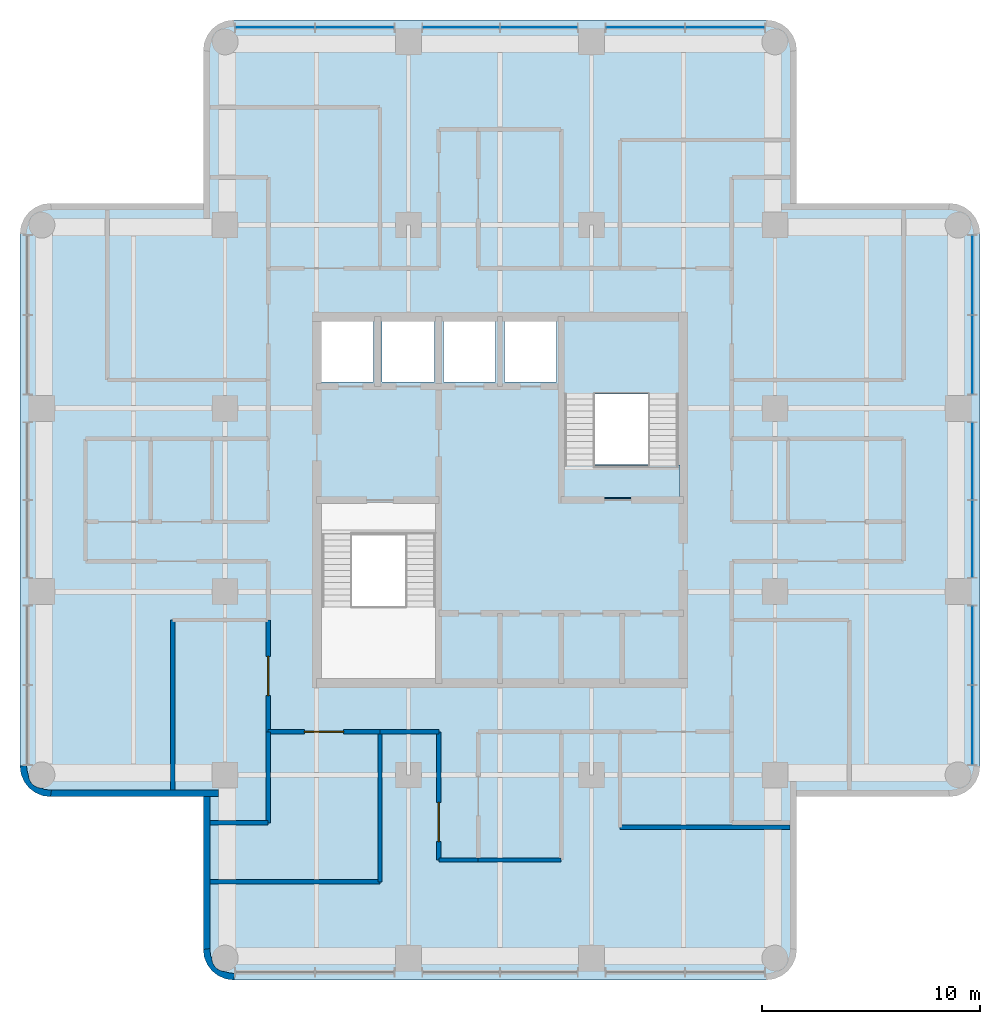
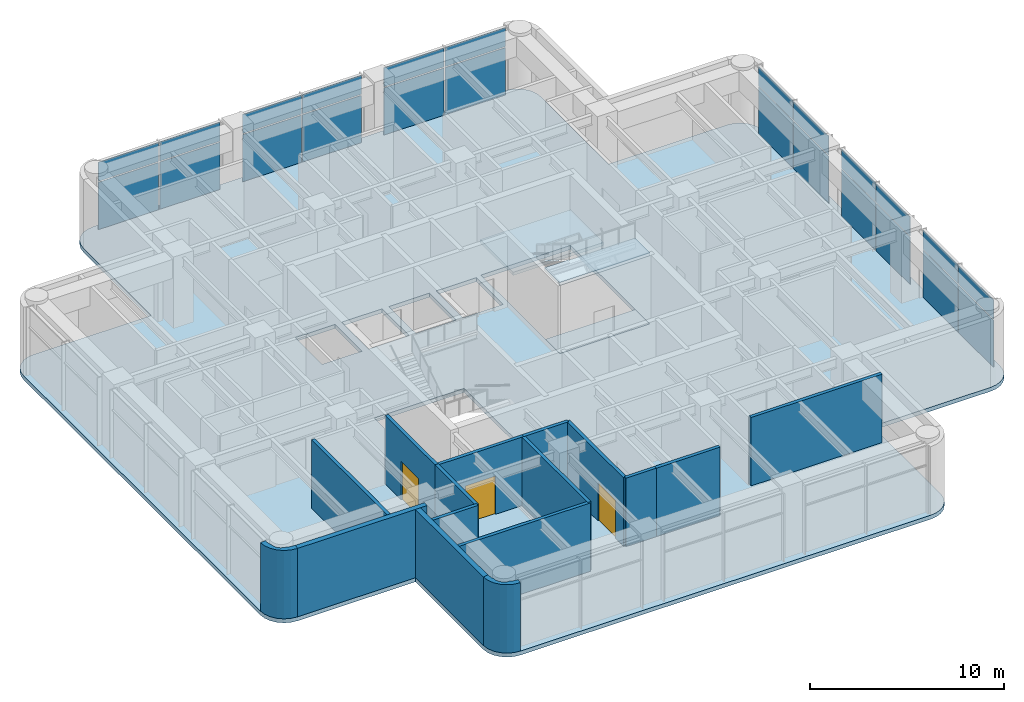
# One storey, part 4 of 8: 24 plates, 16 walls, 4 slabs, 3 doors, 3 openings, 3 elements without a shape of their own.
"""IFC4 building model written with IfcOpenShell, lengths in metres."""

from ifc_helpers import new_model, si_unit, direction, frame, frame_2d, origin, origin_2d, place, context, subcontext, project, spatial, polyline, rectangle, outline, extrude, material, layer, layer_set, type_object, element, fill, aggregate, save


model = new_model("IFC4")

# Units and contexts
model_context = context("Model", 3, precision=1e-05, world=origin(), true_north=direction((0.0, 1.0)))
body_context = subcontext(model_context, "Body", "Model", "MODEL_VIEW")
ifc_project = project(units=[si_unit("LENGTHUNIT", "METRE"), si_unit("AREAUNIT", "SQUARE_METRE"), si_unit("VOLUMEUNIT", "CUBIC_METRE"), si_unit("PLANEANGLEUNIT", "RADIAN"), si_unit("MASSUNIT", "GRAM", prefix="KILO")], contexts=[model_context])

# Site, building, storey
site_placement = place(None, origin())
site = spatial("IfcSite", under=ifc_project, at=site_placement, CompositionType="ELEMENT")
building_placement = place(site_placement, origin())
building = spatial("IfcBuilding", under=site, at=building_placement, Name="Torre Alcanfor", CompositionType="ELEMENT")
storey_placement = place(building_placement, frame((0.0, 0.0, 305.39990234375)))
storey = spatial("IfcBuildingStorey", under=building, at=storey_placement, Name="L80", CompositionType="ELEMENT", Elevation=305.39990234375)

# Curtain wall, plates
ifc_material_1 = material(Name="Aluminium and glass", Category="aluminium")
curtain_wall_type = type_object("IfcCurtainWallType", Name="CW-E crown screen", PredefinedType="NOTDEFINED", material=ifc_material_1)
curtain_wall_1_placement = place(storey_placement, origin())
curtain_wall_1 = element("IfcCurtainWall", 1, at=curtain_wall_1_placement, inside=storey, type_object=curtain_wall_type, Name="Curtain wall CW-E L80 8", PredefinedType="NOTDEFINED")
ifc_material_2 = material(Name="Limestone-colour fritted glass", Category="masonry")
ifc_layer_1 = layer(ifc_material_2, 0.028076171875)
ifc_layer_set_1 = layer_set([ifc_layer_1], Name="CW-E fritted glass panel")
plate_type = type_object("IfcPlateType", Name="CW-E fritted glass panel", PredefinedType="CURTAIN_PANEL", material=ifc_layer_set_1)
plate_1_placement = place(storey_placement, frame((51.050048828125, 19.087890625, 0.0), z_axis=(0.0, 0.0, 1.0), x_axis=(0.0, 1.0, 0.0)))
plate_1 = element("IfcPlate", 2, at=plate_1_placement, type_object=plate_type, Name="CW-E panel 1.1.1", PredefinedType="CURTAIN_PANEL", context=body_context, shape_type="SweptSolid", body=[
    extrude(rectangle(XDim=3.584716796875, YDim=0.028076171875, at=origin_2d()), origin(), (0.0, 0.0, 1.0), 2.967529296875),
])
plate_2_placement = place(storey_placement, frame((51.050048828125, 19.087890625, 3.03271484375), z_axis=(0.0, 0.0, 1.0), x_axis=(0.0, 1.0, 0.0)))
plate_2 = element("IfcPlate", 3, at=plate_2_placement, type_object=plate_type, Name="CW-E panel 1.1.2", PredefinedType="CURTAIN_PANEL", context=body_context, shape_type="SweptSolid", body=[
    extrude(rectangle(XDim=3.584716796875, YDim=0.028076171875, at=origin_2d()), origin(), (0.0, 0.0, 1.0), 1.202392578125),
])
plate_3_placement = place(storey_placement, frame((51.050048828125, 22.737548828125, 0.0), z_axis=(0.0, 0.0, 1.0), x_axis=(0.0, 1.0, 0.0)))
plate_3 = element("IfcPlate", 4, at=plate_3_placement, type_object=plate_type, Name="CW-E panel 1.2.1", PredefinedType="CURTAIN_PANEL", context=body_context, shape_type="SweptSolid", body=[
    extrude(rectangle(XDim=3.584716796875, YDim=0.028076171875, at=origin_2d()), origin(), (0.0, 0.0, 1.0), 2.967529296875),
])
plate_4_placement = place(storey_placement, frame((51.050048828125, 22.737548828125, 3.03271484375), z_axis=(0.0, 0.0, 1.0), x_axis=(0.0, 1.0, 0.0)))
plate_4 = element("IfcPlate", 5, at=plate_4_placement, type_object=plate_type, Name="CW-E panel 1.2.2", PredefinedType="CURTAIN_PANEL", context=body_context, shape_type="SweptSolid", body=[
    extrude(rectangle(XDim=3.584716796875, YDim=0.028076171875, at=origin_2d()), origin(), (0.0, 0.0, 1.0), 1.202392578125),
])
plate_5_placement = place(storey_placement, frame((51.050048828125, 27.61865234375, 0.0), z_axis=(0.0, 0.0, 1.0), x_axis=(0.0, 1.0, 0.0)))
plate_5 = element("IfcPlate", 6, at=plate_5_placement, type_object=plate_type, Name="CW-E panel 2.1.1", PredefinedType="CURTAIN_PANEL", context=body_context, shape_type="SweptSolid", body=[
    extrude(rectangle(XDim=3.49755859375, YDim=0.028076171875, at=origin_2d()), origin(), (0.0, 0.0, 1.0), 2.967529296875),
])
plate_6_placement = place(storey_placement, frame((51.050048828125, 27.61865234375, 3.03271484375), z_axis=(0.0, 0.0, 1.0), x_axis=(0.0, 1.0, 0.0)))
plate_6 = element("IfcPlate", 7, at=plate_6_placement, type_object=plate_type, Name="CW-E panel 2.1.2", PredefinedType="CURTAIN_PANEL", context=body_context, shape_type="SweptSolid", body=[
    extrude(rectangle(XDim=3.49755859375, YDim=0.028076171875, at=origin_2d()), origin(), (0.0, 0.0, 1.0), 1.202392578125),
])
plate_7_placement = place(storey_placement, frame((51.050048828125, 31.18115234375, 0.0), z_axis=(0.0, 0.0, 1.0), x_axis=(0.0, 1.0, 0.0)))
plate_7 = element("IfcPlate", 8, at=plate_7_placement, type_object=plate_type, Name="CW-E panel 2.2.1", PredefinedType="CURTAIN_PANEL", context=body_context, shape_type="SweptSolid", body=[
    extrude(rectangle(XDim=3.49755859375, YDim=0.028076171875, at=origin_2d()), origin(), (0.0, 0.0, 1.0), 2.967529296875),
])
plate_8_placement = place(storey_placement, frame((51.050048828125, 31.18115234375, 3.03271484375), z_axis=(0.0, 0.0, 1.0), x_axis=(0.0, 1.0, 0.0)))
plate_8 = element("IfcPlate", 9, at=plate_8_placement, type_object=plate_type, Name="CW-E panel 2.2.2", PredefinedType="CURTAIN_PANEL", context=body_context, shape_type="SweptSolid", body=[
    extrude(rectangle(XDim=3.49755859375, YDim=0.028076171875, at=origin_2d()), origin(), (0.0, 0.0, 1.0), 1.202392578125),
])
plate_9_placement = place(storey_placement, frame((51.050048828125, 36.062255859375, 0.0), z_axis=(0.0, 0.0, 1.0), x_axis=(0.0, 1.0, 0.0)))
plate_9 = element("IfcPlate", 10, at=plate_9_placement, type_object=plate_type, Name="CW-E panel 3.1.1", PredefinedType="CURTAIN_PANEL", context=body_context, shape_type="SweptSolid", body=[
    extrude(rectangle(XDim=3.584716796875, YDim=0.028076171875, at=origin_2d()), origin(), (0.0, 0.0, 1.0), 2.967529296875),
])
plate_10_placement = place(storey_placement, frame((51.050048828125, 36.062255859375, 3.03271484375), z_axis=(0.0, 0.0, 1.0), x_axis=(0.0, 1.0, 0.0)))
plate_10 = element("IfcPlate", 11, at=plate_10_placement, type_object=plate_type, Name="CW-E panel 3.1.2", PredefinedType="CURTAIN_PANEL", context=body_context, shape_type="SweptSolid", body=[
    extrude(rectangle(XDim=3.584716796875, YDim=0.028076171875, at=origin_2d()), origin(), (0.0, 0.0, 1.0), 1.202392578125),
])
plate_11_placement = place(storey_placement, frame((51.050048828125, 39.712158203125, 0.0), z_axis=(0.0, 0.0, 1.0), x_axis=(0.0, 1.0, 0.0)))
plate_11 = element("IfcPlate", 12, at=plate_11_placement, type_object=plate_type, Name="CW-E panel 3.2.1", PredefinedType="CURTAIN_PANEL", context=body_context, shape_type="SweptSolid", body=[
    extrude(rectangle(XDim=3.584716796875, YDim=0.028076171875, at=origin_2d()), origin(), (0.0, 0.0, 1.0), 2.967529296875),
])
plate_12_placement = place(storey_placement, frame((51.050048828125, 39.712158203125, 3.03271484375), z_axis=(0.0, 0.0, 1.0), x_axis=(0.0, 1.0, 0.0)))
plate_12 = element("IfcPlate", 13, at=plate_12_placement, type_object=plate_type, Name="CW-E panel 3.2.2", PredefinedType="CURTAIN_PANEL", context=body_context, shape_type="SweptSolid", body=[
    extrude(rectangle(XDim=3.584716796875, YDim=0.028076171875, at=origin_2d()), origin(), (0.0, 0.0, 1.0), 1.202392578125),
])
aggregate(curtain_wall_1, [plate_1, plate_2, plate_3, plate_4, plate_5, plate_6, plate_7, plate_8, plate_9, plate_10, plate_11, plate_12])

curtain_wall_2_placement = place(storey_placement, origin())
curtain_wall_2 = element("IfcCurtainWall", 14, at=curtain_wall_2_placement, inside=storey, type_object=curtain_wall_type, Name="Curtain wall CW-E L80 11", PredefinedType="NOTDEFINED")
plate_13_placement = place(storey_placement, frame((39.712158203125, 51.050048828125, 0.0), z_axis=(0.0, 0.0, 1.0), x_axis=(-1.0, 0.0, 0.0)))
plate_13 = element("IfcPlate", 15, at=plate_13_placement, type_object=plate_type, Name="CW-E panel 1.1.1", PredefinedType="CURTAIN_PANEL", context=body_context, shape_type="SweptSolid", body=[
    extrude(rectangle(XDim=3.584716796875, YDim=0.028076171875, at=origin_2d()), origin(), (0.0, 0.0, 1.0), 2.967529296875),
])
plate_14_placement = place(storey_placement, frame((39.712158203125, 51.050048828125, 3.03271484375), z_axis=(0.0, 0.0, 1.0), x_axis=(-1.0, 0.0, 0.0)))
plate_14 = element("IfcPlate", 16, at=plate_14_placement, type_object=plate_type, Name="CW-E panel 1.1.2", PredefinedType="CURTAIN_PANEL", context=body_context, shape_type="SweptSolid", body=[
    extrude(rectangle(XDim=3.584716796875, YDim=0.028076171875, at=origin_2d()), origin(), (0.0, 0.0, 1.0), 1.202392578125),
])
plate_15_placement = place(storey_placement, frame((36.062255859375, 51.050048828125, 0.0), z_axis=(0.0, 0.0, 1.0), x_axis=(-1.0, 0.0, 0.0)))
plate_15 = element("IfcPlate", 17, at=plate_15_placement, type_object=plate_type, Name="CW-E panel 1.2.1", PredefinedType="CURTAIN_PANEL", context=body_context, shape_type="SweptSolid", body=[
    extrude(rectangle(XDim=3.584716796875, YDim=0.028076171875, at=origin_2d()), origin(), (0.0, 0.0, 1.0), 2.967529296875),
])
plate_16_placement = place(storey_placement, frame((36.062255859375, 51.050048828125, 3.03271484375), z_axis=(0.0, 0.0, 1.0), x_axis=(-1.0, 0.0, 0.0)))
plate_16 = element("IfcPlate", 18, at=plate_16_placement, type_object=plate_type, Name="CW-E panel 1.2.2", PredefinedType="CURTAIN_PANEL", context=body_context, shape_type="SweptSolid", body=[
    extrude(rectangle(XDim=3.584716796875, YDim=0.028076171875, at=origin_2d()), origin(), (0.0, 0.0, 1.0), 1.202392578125),
])
plate_17_placement = place(storey_placement, frame((31.18115234375, 51.050048828125, 0.0), z_axis=(0.0, 0.0, 1.0), x_axis=(-1.0, 0.0, 0.0)))
plate_17 = element("IfcPlate", 19, at=plate_17_placement, type_object=plate_type, Name="CW-E panel 2.1.1", PredefinedType="CURTAIN_PANEL", context=body_context, shape_type="SweptSolid", body=[
    extrude(rectangle(XDim=3.49755859375, YDim=0.028076171875, at=origin_2d()), origin(), (0.0, 0.0, 1.0), 2.967529296875),
])
plate_18_placement = place(storey_placement, frame((31.18115234375, 51.050048828125, 3.03271484375), z_axis=(0.0, 0.0, 1.0), x_axis=(-1.0, 0.0, 0.0)))
plate_18 = element("IfcPlate", 20, at=plate_18_placement, type_object=plate_type, Name="CW-E panel 2.1.2", PredefinedType="CURTAIN_PANEL", context=body_context, shape_type="SweptSolid", body=[
    extrude(rectangle(XDim=3.49755859375, YDim=0.028076171875, at=origin_2d()), origin(), (0.0, 0.0, 1.0), 1.202392578125),
])
plate_19_placement = place(storey_placement, frame((27.61865234375, 51.050048828125, 0.0), z_axis=(0.0, 0.0, 1.0), x_axis=(-1.0, 0.0, 0.0)))
plate_19 = element("IfcPlate", 21, at=plate_19_placement, type_object=plate_type, Name="CW-E panel 2.2.1", PredefinedType="CURTAIN_PANEL", context=body_context, shape_type="SweptSolid", body=[
    extrude(rectangle(XDim=3.49755859375, YDim=0.028076171875, at=origin_2d()), origin(), (0.0, 0.0, 1.0), 2.967529296875),
])
plate_20_placement = place(storey_placement, frame((27.61865234375, 51.050048828125, 3.03271484375), z_axis=(0.0, 0.0, 1.0), x_axis=(-1.0, 0.0, 0.0)))
plate_20 = element("IfcPlate", 22, at=plate_20_placement, type_object=plate_type, Name="CW-E panel 2.2.2", PredefinedType="CURTAIN_PANEL", context=body_context, shape_type="SweptSolid", body=[
    extrude(rectangle(XDim=3.49755859375, YDim=0.028076171875, at=origin_2d()), origin(), (0.0, 0.0, 1.0), 1.202392578125),
])
plate_21_placement = place(storey_placement, frame((22.737548828125, 51.050048828125, 0.0), z_axis=(0.0, 0.0, 1.0), x_axis=(-1.0, 0.0, 0.0)))
plate_21 = element("IfcPlate", 23, at=plate_21_placement, type_object=plate_type, Name="CW-E panel 3.1.1", PredefinedType="CURTAIN_PANEL", context=body_context, shape_type="SweptSolid", body=[
    extrude(rectangle(XDim=3.584716796875, YDim=0.028076171875, at=origin_2d()), origin(), (0.0, 0.0, 1.0), 2.967529296875),
])
plate_22_placement = place(storey_placement, frame((22.737548828125, 51.050048828125, 3.03271484375), z_axis=(0.0, 0.0, 1.0), x_axis=(-1.0, 0.0, 0.0)))
plate_22 = element("IfcPlate", 24, at=plate_22_placement, type_object=plate_type, Name="CW-E panel 3.1.2", PredefinedType="CURTAIN_PANEL", context=body_context, shape_type="SweptSolid", body=[
    extrude(rectangle(XDim=3.584716796875, YDim=0.028076171875, at=origin_2d()), origin(), (0.0, 0.0, 1.0), 1.202392578125),
])
plate_23_placement = place(storey_placement, frame((19.087890625, 51.050048828125, 0.0), z_axis=(0.0, 0.0, 1.0), x_axis=(-1.0, 0.0, 0.0)))
plate_23 = element("IfcPlate", 25, at=plate_23_placement, type_object=plate_type, Name="CW-E panel 3.2.1", PredefinedType="CURTAIN_PANEL", context=body_context, shape_type="SweptSolid", body=[
    extrude(rectangle(XDim=3.584716796875, YDim=0.028076171875, at=origin_2d()), origin(), (0.0, 0.0, 1.0), 2.967529296875),
])
plate_24_placement = place(storey_placement, frame((19.087890625, 51.050048828125, 3.03271484375), z_axis=(0.0, 0.0, 1.0), x_axis=(-1.0, 0.0, 0.0)))
plate_24 = element("IfcPlate", 26, at=plate_24_placement, type_object=plate_type, Name="CW-E panel 3.2.2", PredefinedType="CURTAIN_PANEL", context=body_context, shape_type="SweptSolid", body=[
    extrude(rectangle(XDim=3.584716796875, YDim=0.028076171875, at=origin_2d()), origin(), (0.0, 0.0, 1.0), 1.202392578125),
])
aggregate(curtain_wall_2, [plate_13, plate_14, plate_15, plate_16, plate_17, plate_18, plate_19, plate_20, plate_21, plate_22, plate_23, plate_24])

# Slab
ifc_material_3 = material(Name="Concrete f'c 35 MPa", Category="concrete")
ifc_layer_2 = layer(ifc_material_3, 0.25)
ifc_layer_set_2 = layer_set([ifc_layer_2], Name="Floor slab 250")
slab_type_1 = type_object("IfcSlabType", Name="Floor slab 250", PredefinedType="FLOOR", material=ifc_layer_set_2)
slab_1_placement = place(storey_placement, frame((0.0, 0.0, -0.25)))
element("IfcSlab", 27, at=slab_1_placement, inside=storey, type_object=slab_type_1, Name="Floor slab L80", PredefinedType="FLOOR", context=body_context, shape_type="SweptSolid", body=[
    extrude(outline(polyline([(15.800048828125, 43.0), (8.800048828125, 43.0), (8.437744140625, 42.952392578125), (8.10009765625, 42.8125), (7.81005859375, 42.58984375), (7.587646484375, 42.300048828125), (7.44775390625, 41.96240234375), (7.39990234375, 41.60009765625), (7.39990234375, 17.199951171875), (7.44775390625, 16.837646484375), (7.587646484375, 16.5), (7.81005859375, 16.210205078125), (8.10009765625, 15.987548828125), (8.437744140625, 15.84765625), (8.800048828125, 15.800048828125), (15.800048828125, 15.800048828125), (15.800048828125, 8.800048828125), (15.84765625, 8.437744140625), (15.987548828125, 8.10009765625), (16.210205078125, 7.81005859375), (16.5, 7.587646484375), (16.837646484375, 7.44775390625), (17.199951171875, 7.39990234375), (41.60009765625, 7.39990234375), (41.96240234375, 7.44775390625), (42.300048828125, 7.587646484375), (42.58984375, 7.81005859375), (42.8125, 8.10009765625), (42.952392578125, 8.437744140625), (43.0, 8.800048828125), (43.0, 15.800048828125), (50.0, 15.800048828125), (50.3623046875, 15.84765625), (50.699951171875, 15.987548828125), (50.989990234375, 16.210205078125), (51.21240234375, 16.5), (51.352294921875, 16.837646484375), (51.39990234375, 17.199951171875), (51.39990234375, 41.60009765625), (51.352294921875, 41.96240234375), (51.21240234375, 42.300048828125), (50.989990234375, 42.58984375), (50.699951171875, 42.8125), (50.3623046875, 42.952392578125), (50.0, 43.0), (43.0, 43.0), (43.0, 50.0), (42.952392578125, 50.3623046875), (42.8125, 50.699951171875), (42.58984375, 50.989990234375), (42.300048828125, 51.21240234375), (41.96240234375, 51.352294921875), (41.60009765625, 51.39990234375), (17.199951171875, 51.39990234375), (16.837646484375, 51.352294921875), (16.5, 51.21240234375), (16.210205078125, 50.989990234375), (15.987548828125, 50.699951171875), (15.84765625, 50.3623046875), (15.800048828125, 50.0), (15.800048828125, 43.0)]), holes=[polyline([(21.14501953125, 21.14501953125), (26.47998046875, 21.14501953125), (26.47998046875, 29.280029296875), (21.14501953125, 29.280029296875), (21.14501953125, 21.14501953125)]), polyline([(32.320068359375, 29.52001953125), (37.655029296875, 29.52001953125), (37.655029296875, 37.655029296875), (32.320068359375, 37.655029296875), (32.320068359375, 29.52001953125)]), polyline([(21.22509765625, 34.800048828125), (23.60009765625, 34.800048828125), (23.60009765625, 37.574951171875), (21.22509765625, 37.574951171875), (21.22509765625, 34.800048828125)]), polyline([(24.0, 34.800048828125), (26.39990234375, 34.800048828125), (26.39990234375, 37.574951171875), (24.0, 37.574951171875), (24.0, 34.800048828125)]), polyline([(26.800048828125, 34.800048828125), (29.199951171875, 34.800048828125), (29.199951171875, 37.574951171875), (26.800048828125, 37.574951171875), (26.800048828125, 34.800048828125)]), polyline([(29.60009765625, 34.800048828125), (32.0, 34.800048828125), (32.0, 37.574951171875), (29.60009765625, 37.574951171875), (29.60009765625, 34.800048828125)])]), origin(), (0.0, 0.0, 1.0), 0.25),
])

# Stair, slabs
ifc_material_4 = material(Name="Concrete f'c 35 MPa", Category="concrete")
stair_type = type_object("IfcStairType", Name="Exit stair S2 1400 wide", PredefinedType="HALF_TURN_STAIR", material=ifc_material_4)
stair_placement = place(storey_placement, origin())
stair = element("IfcStair", 28, at=stair_placement, inside=storey, type_object=stair_type, Name="Stair S2 L80 to RF", PredefinedType="HALF_TURN_STAIR")
ifc_material_5 = material(Name="Concrete f'c 35 MPa", Category="concrete")
ifc_layer_3 = layer(ifc_material_5, 0.199951171875)
ifc_layer_set_3 = layer_set([ifc_layer_3], Name="Stair landing 200")
slab_type_2 = type_object("IfcSlabType", Name="Stair landing 200", PredefinedType="LANDING", material=ifc_layer_set_3)
slab_2_placement = place(storey_placement, frame((0.0, 0.0, -0.199951171875)))
slab_2 = element("IfcSlab", 29, at=slab_2_placement, type_object=slab_type_2, Name="S2 landing 1", PredefinedType="LANDING", context=body_context, shape_type="SweptSolid", body=[
    extrude(outline(polyline([(32.320068359375, 29.52001953125), (37.655029296875, 29.52001953125), (37.655029296875, 31.0), (32.320068359375, 31.0), (32.320068359375, 29.52001953125)])), origin(), (0.0, 0.0, 1.0), 0.199951171875),
])
slab_3_placement = place(storey_placement, frame((0.0, 0.0, 2.050048828125)))
slab_3 = element("IfcSlab", 30, at=slab_3_placement, type_object=slab_type_2, Name="S2 landing 2", PredefinedType="LANDING", context=body_context, shape_type="SweptSolid", body=[
    extrude(outline(polyline([(32.27001953125, 34.260009765625), (37.655029296875, 34.260009765625), (37.655029296875, 37.655029296875), (32.27001953125, 37.655029296875), (32.27001953125, 34.260009765625)])), origin(), (0.0, 0.0, 1.0), 0.199951171875),
])
slab_4_placement = place(storey_placement, frame((0.0, 0.0, 4.300048828125)))
slab_4 = element("IfcSlab", 31, at=slab_4_placement, type_object=slab_type_2, Name="S2 landing 3", PredefinedType="LANDING", context=body_context, shape_type="SweptSolid", body=[
    extrude(outline(polyline([(32.27001953125, 29.469970703125), (37.655029296875, 29.469970703125), (37.655029296875, 31.030029296875), (32.27001953125, 31.030029296875), (32.27001953125, 29.469970703125)])), origin(), (0.0, 0.0, 1.0), 0.199951171875),
])
aggregate(stair, [slab_2, slab_3, slab_4])

# Walls
ifc_material_6 = material(Name="Limestone cladding", Category="masonry")
ifc_layer_4 = layer(ifc_material_6, 0.0400390625, Name="Facing")
ifc_material_7 = material(Name="Ventilated air cavity")
ifc_layer_5 = layer(ifc_material_7, 0.02001953125, ventilated=True, Name="Ventilated joint")
ifc_material_8 = material(Name="Mineral wool insulation", Category="insulation")
ifc_layer_6 = layer(ifc_material_8, 0.10009765625, Name="Insulation")
ifc_material_9 = material(Name="Concrete f'c 35 MPa", Category="concrete")
ifc_layer_7 = layer(ifc_material_9, 0.139892578125, Name="Backing")
ifc_layer_set_4 = layer_set([ifc_layer_4, ifc_layer_5, ifc_layer_6, ifc_layer_7], Name="External wall stone-clad 300")
wall_type_1 = type_object("IfcWallType", Name="External wall stone-clad 300", PredefinedType="SOLIDWALL", material=ifc_layer_set_4)
wall_1_placement = place(storey_placement, frame((8.800048828125, 15.949951171875, 0.0), z_axis=(0.0, 0.0, 1.0), x_axis=(1.0, 0.0, 0.0)))
element("IfcWall", 32, at=wall_1_placement, inside=storey, type_object=wall_type_1, Name="External wall L80 3", PredefinedType="SOLIDWALL", context=body_context, shape_type="SweptSolid", body=[
    extrude(rectangle(XDim=7.699951171875, YDim=0.300048828125, at=frame_2d((3.85009765625, 0.0))), origin(), (0.0, 0.0, 1.0), 4.300048828125),
])
wall_2_placement = place(storey_placement, frame((15.949951171875, 15.800048828125, 0.0), z_axis=(0.0, 0.0, 1.0), x_axis=(0.0, -1.0, 0.0)))
element("IfcWall", 33, at=wall_2_placement, inside=storey, type_object=wall_type_1, Name="External wall L80 4", PredefinedType="SOLIDWALL", context=body_context, shape_type="SweptSolid", body=[
    extrude(rectangle(XDim=7.0, YDim=0.300048828125, at=frame_2d((3.5, 0.0))), origin(), (0.0, 0.0, 1.0), 4.300048828125),
])

# Wall, opening, door
ifc_material_10 = material(Name="Concrete block masonry, hollow blocks NMX-C-404 9 MPa", Category="masonry")
ifc_layer_8 = layer(ifc_material_10, 0.199951171875)
ifc_layer_set_5 = layer_set([ifc_layer_8], Name="Plant room wall 200 EI 60")
wall_type_2 = type_object("IfcWallType", Name="Plant room wall 200 EI 60", PredefinedType="PARTITIONING", material=ifc_layer_set_5)
wall_3_placement = place(storey_placement, frame((23.89990234375, 18.77490234375, 0.0), z_axis=(0.0, 0.0, 1.0), x_axis=(-1.0, 0.0, 0.0)))
wall_3 = element("IfcWall", 34, at=wall_3_placement, inside=storey, type_object=wall_type_2, Name="Partition L80-CORR / L80-S1", PredefinedType="PARTITIONING", context=body_context, shape_type="SweptSolid", body=[
    extrude(rectangle(XDim=5.125, YDim=0.199951171875, at=frame_2d((2.5625, 0.0))), origin(), (0.0, 0.0, 1.0), 4.300048828125),
])
opening_1_placement = place(wall_3_placement, frame((1.66259765625, 0.0, 0.0)))
opening_1 = element("IfcOpeningElement", 35, at=opening_1_placement, cuts=wall_3, Name="Opening D-P1", PredefinedType="OPENING", context=body_context, shape_type="SweptSolid", body=[
    extrude(rectangle(XDim=1.800048828125, YDim=2.39990234375, at=frame_2d((0.89990234375, 1.199951171875))), frame((0.0, 0.10986328125, 0.0), z_axis=(0.0, -1.0, 0.0), x_axis=(1.0, 0.0, 0.0)), (0.0, 0.0, 1.0), 0.219970703125),
])
ifc_material_11 = material(Name="Galvanised steel sheet ASTM A653", Category="steel")
door_type = type_object("IfcDoorType", Name="Plant room door FD60 1800x2400", OperationType="DOUBLE_DOOR_SINGLE_SWING", PredefinedType="DOOR", material=ifc_material_11)
door_1_placement = place(opening_1_placement, origin())
door_1 = element("IfcDoor", 36, at=door_1_placement, inside=storey, type_object=door_type, Name="Door L80-S1 residential exhaust fan plant room", OperationType="DOUBLE_DOOR_SINGLE_SWING", OverallHeight=2.39990234375, OverallWidth=1.800048828125, PredefinedType="DOOR", context=body_context, shape_type="SweptSolid", body=[
    extrude(rectangle(XDim=1.800048828125, YDim=2.39990234375, at=frame_2d((0.89990234375, 1.199951171875))), frame((0.0, 0.02490234375, 0.0), z_axis=(0.0, -1.0, 0.0), x_axis=(1.0, 0.0, 0.0)), (0.0, 0.0, 1.0), 0.050048828125),
])
fill(opening_1, door_1)

# Wall
wall_4_placement = place(storey_placement, frame((26.60009765625, 18.77490234375, 0.0), z_axis=(0.0, 0.0, 1.0), x_axis=(-1.0, 0.0, 0.0)))
element("IfcWall", 37, at=wall_4_placement, inside=storey, type_object=wall_type_2, Name="Partition L80-CORR / L80-SH", PredefinedType="PARTITIONING", context=body_context, shape_type="SweptSolid", body=[
    extrude(rectangle(XDim=2.7001953125, YDim=0.199951171875, at=frame_2d((1.35009765625, 0.0))), origin(), (0.0, 0.0, 1.0), 4.300048828125),
])

# Wall, opening, door
wall_5_placement = place(storey_placement, frame((18.77490234375, 18.77490234375, 0.0), z_axis=(0.0, 0.0, 1.0), x_axis=(0.0, 1.0, 0.0)))
wall_5 = element("IfcWall", 38, at=wall_5_placement, inside=storey, type_object=wall_type_2, Name="Partition L80-CORR / L80-W1", PredefinedType="PARTITIONING", context=body_context, shape_type="SweptSolid", body=[
    extrude(rectangle(XDim=5.125, YDim=0.199951171875, at=frame_2d((2.5625, 0.0))), origin(), (0.0, 0.0, 1.0), 4.300048828125),
])
opening_2_placement = place(wall_5_placement, frame((1.66259765625, 0.0, 0.0)))
opening_2 = element("IfcOpeningElement", 39, at=opening_2_placement, cuts=wall_5, Name="Opening D-P1", PredefinedType="OPENING", context=body_context, shape_type="SweptSolid", body=[
    extrude(rectangle(XDim=1.800048828125, YDim=2.39990234375, at=frame_2d((0.89990234375, 1.199951171875))), frame((0.0, 0.10986328125, 0.0), z_axis=(0.0, -1.0, 0.0), x_axis=(1.0, 0.0, 0.0)), (0.0, 0.0, 1.0), 0.219970703125),
])
door_2_placement = place(opening_2_placement, origin())
door_2 = element("IfcDoor", 40, at=door_2_placement, inside=storey, type_object=door_type, Name="Door L80-W1 lift machine and controls room", OperationType="DOUBLE_DOOR_SINGLE_SWING", OverallHeight=2.39990234375, OverallWidth=1.800048828125, PredefinedType="DOOR", context=body_context, shape_type="SweptSolid", body=[
    extrude(rectangle(XDim=1.800048828125, YDim=2.39990234375, at=frame_2d((0.89990234375, 1.199951171875))), frame((0.0, 0.02490234375, 0.0), z_axis=(0.0, -1.0, 0.0), x_axis=(1.0, 0.0, 0.0)), (0.0, 0.0, 1.0), 0.050048828125),
])
fill(opening_2, door_2)

# Walls
wall_6_placement = place(storey_placement, frame((23.89990234375, 18.77490234375, 0.0), z_axis=(0.0, 0.0, 1.0), x_axis=(0.0, -1.0, 0.0)))
element("IfcWall", 41, at=wall_6_placement, inside=storey, type_object=wall_type_2, Name="Partition L80-S1 / L80-SH", PredefinedType="PARTITIONING", context=body_context, shape_type="SweptSolid", body=[
    extrude(rectangle(XDim=6.875, YDim=0.199951171875, at=frame_2d((3.4375, 0.0))), origin(), (0.0, 0.0, 1.0), 4.300048828125),
])
wall_7_placement = place(storey_placement, frame((23.89990234375, 11.89990234375, 0.0), z_axis=(0.0, 0.0, 1.0), x_axis=(-1.0, 0.0, 0.0)))
element("IfcWall", 42, at=wall_7_placement, inside=storey, type_object=wall_type_2, Name="Partition L80-S1 / L80-SH", PredefinedType="PARTITIONING", context=body_context, shape_type="SweptSolid", body=[
    extrude(rectangle(XDim=7.7998046875, YDim=0.199951171875, at=frame_2d((3.89990234375, 0.0))), origin(), (0.0, 0.0, 1.0), 4.300048828125),
])
wall_8_placement = place(storey_placement, frame((16.10009765625, 14.60009765625, 0.0), z_axis=(0.0, 0.0, 1.0), x_axis=(1.0, 0.0, 0.0)))
element("IfcWall", 43, at=wall_8_placement, inside=storey, type_object=wall_type_2, Name="Partition L80-S1 / L80-W1", PredefinedType="PARTITIONING", context=body_context, shape_type="SweptSolid", body=[
    extrude(rectangle(XDim=2.6748046875, YDim=0.199951171875, at=frame_2d((1.33740234375, 0.0))), origin(), (0.0, 0.0, 1.0), 4.300048828125),
])
wall_9_placement = place(storey_placement, frame((18.77490234375, 14.60009765625, 0.0), z_axis=(0.0, 0.0, 1.0), x_axis=(0.0, 1.0, 0.0)))
element("IfcWall", 44, at=wall_9_placement, inside=storey, type_object=wall_type_2, Name="Partition L80-S1 / L80-W1", PredefinedType="PARTITIONING", context=body_context, shape_type="SweptSolid", body=[
    extrude(rectangle(XDim=4.1748046875, YDim=0.199951171875, at=frame_2d((2.08740234375, 0.0))), origin(), (0.0, 0.0, 1.0), 4.300048828125),
])
wall_10_placement = place(storey_placement, frame((42.699951171875, 14.39990234375, 0.0), z_axis=(0.0, 0.0, 1.0), x_axis=(-1.0, 0.0, 0.0)))
element("IfcWall", 45, at=wall_10_placement, inside=storey, type_object=wall_type_2, Name="Partition L80-S2 / L80-SH", PredefinedType="PARTITIONING", context=body_context, shape_type="SweptSolid", body=[
    extrude(rectangle(XDim=7.800048828125, YDim=0.199951171875, at=frame_2d((3.89990234375, 0.0))), origin(), (0.0, 0.0, 1.0), 4.300048828125),
])
wall_11_placement = place(storey_placement, frame((28.39990234375, 12.89990234375, 0.0), z_axis=(0.0, 0.0, 1.0), x_axis=(-1.0, 0.0, 0.0)))
element("IfcWall", 46, at=wall_11_placement, inside=storey, type_object=wall_type_2, Name="Partition L80-SC / L80-SH", PredefinedType="PARTITIONING", context=body_context, shape_type="SweptSolid", body=[
    extrude(rectangle(XDim=1.7998046875, YDim=0.199951171875, at=frame_2d((0.89990234375, 0.0))), origin(), (0.0, 0.0, 1.0), 4.300048828125),
])

# Wall, opening, door
wall_12_placement = place(storey_placement, frame((26.60009765625, 12.89990234375, 0.0), z_axis=(0.0, 0.0, 1.0), x_axis=(0.0, 1.0, 0.0)))
wall_12 = element("IfcWall", 47, at=wall_12_placement, inside=storey, type_object=wall_type_2, Name="Partition L80-SC / L80-SH", PredefinedType="PARTITIONING", context=body_context, shape_type="SweptSolid", body=[
    extrude(rectangle(XDim=5.875, YDim=0.199951171875, at=frame_2d((2.9375, 0.0))), origin(), (0.0, 0.0, 1.0), 4.300048828125),
])
opening_3_placement = place(wall_12_placement, frame((0.83740234375, 0.0, 0.0)))
opening_3 = element("IfcOpeningElement", 48, at=opening_3_placement, cuts=wall_12, Name="Opening D-P1", PredefinedType="OPENING", context=body_context, shape_type="SweptSolid", body=[
    extrude(rectangle(XDim=1.800048828125, YDim=2.39990234375, at=frame_2d((0.89990234375, 1.199951171875))), frame((0.0, 0.10986328125, 0.0), z_axis=(0.0, -1.0, 0.0), x_axis=(1.0, 0.0, 0.0)), (0.0, 0.0, 1.0), 0.219970703125),
])
door_3_placement = place(opening_3_placement, origin())
door_3 = element("IfcDoor", 49, at=door_3_placement, inside=storey, type_object=door_type, Name="Door L80-SH air handling plant room", OperationType="DOUBLE_DOOR_SINGLE_SWING", OverallHeight=2.39990234375, OverallWidth=1.800048828125, PredefinedType="DOOR", context=body_context, shape_type="SweptSolid", body=[
    extrude(rectangle(XDim=1.800048828125, YDim=2.39990234375, at=frame_2d((0.89990234375, 1.199951171875))), frame((0.0, 0.02490234375, 0.0), z_axis=(0.0, -1.0, 0.0), x_axis=(1.0, 0.0, 0.0)), (0.0, 0.0, 1.0), 0.050048828125),
])
fill(opening_3, door_3)

# Walls
wall_13_placement = place(storey_placement, frame((32.199951171875, 12.89990234375, 0.0), z_axis=(0.0, 0.0, 1.0), x_axis=(-1.0, 0.0, 0.0)))
element("IfcWall", 50, at=wall_13_placement, inside=storey, type_object=wall_type_2, Name="Partition L80-S3 / L80-SH", PredefinedType="PARTITIONING", context=body_context, shape_type="SweptSolid", body=[
    extrude(rectangle(XDim=3.800048828125, YDim=0.199951171875, at=frame_2d((1.89990234375, 0.0))), origin(), (0.0, 0.0, 1.0), 4.300048828125),
])
wall_14_placement = place(storey_placement, frame((14.39990234375, 16.10009765625, 0.0), z_axis=(0.0, 0.0, 1.0), x_axis=(0.0, 1.0, 0.0)))
element("IfcWall", 51, at=wall_14_placement, inside=storey, type_object=wall_type_2, Name="Partition L80-W1 / L80-WH", PredefinedType="PARTITIONING", context=body_context, shape_type="SweptSolid", body=[
    extrude(rectangle(XDim=7.7998046875, YDim=0.199951171875, at=frame_2d((3.89990234375, 0.0))), origin(), (0.0, 0.0, 1.0), 4.300048828125),
])
ifc_layer_9 = layer(ifc_material_6, 0.0400390625, Name="Facing")
ifc_layer_10 = layer(ifc_material_7, 0.02001953125, ventilated=True, Name="Ventilated joint")
ifc_layer_11 = layer(ifc_material_8, 0.10009765625, Name="Insulation")
ifc_layer_12 = layer(ifc_material_9, 0.139892578125, Name="Backing")
ifc_layer_set_6 = layer_set([ifc_layer_9, ifc_layer_10, ifc_layer_11, ifc_layer_12], Name="Rounded corner pier stone-clad 300")
wall_type_3 = type_object("IfcWallType", Name="Rounded corner pier stone-clad 300", PredefinedType="SOLIDWALL", material=ifc_layer_set_6)
wall_15_placement = place(storey_placement, frame((7.824101883, 17.161581746, 0.0), z_axis=(0.0, 0.0, 1.0), x_axis=(-0.707106781187, -0.707106781187, 0.0)))
element("IfcWall", 52, at=wall_15_placement, inside=storey, type_object=wall_type_3, Name="Corner pier L80 14", PredefinedType="SOLIDWALL", context=body_context, shape_type="SweptSolid", body=[
    extrude(outline(polyline([(0.04667321568762184, 1.4544919802800873), (0.23311738650829356, 1.2117692912302127), (0.29215804060150635, 1.069174027250699), (0.3579314008632433, 1.0034006669889621), (0.4494271513585729, 0.7824297978681659), (0.4494271513585729, 0.5431597786483039), (0.35793140086324327, 0.322534176510509), (0.2921580406015063, 0.256760816248772), (0.23311738650829356, 0.11416555226925829), (0.046673215687621845, -0.12890240376361745), (0.032689902876071465, -0.14288571657516783), (0.2728230895534366, -0.32708565200633144), (0.4951750266062377, -0.037061386285286546), (0.6350081547217414, 0.30060972308993), (0.6826549983759133, 0.6627947882582349), (0.6350081547217414, 1.025325120409541), (0.49517502660623774, 1.3629962297847575), (0.27265045606193605, 1.652847862014302), (0.03251726938457078, 1.4686479265831383), (0.04667321568762184, 1.4544919802800873)])), origin(), (0.0, 0.0, 1.0), 4.300048828125),
])
wall_16_placement = place(storey_placement, frame((16.224101883, 8.761581746, 0.0), z_axis=(0.0, 0.0, 1.0), x_axis=(-0.707106781187, -0.707106781187, 0.0)))
element("IfcWall", 53, at=wall_16_placement, inside=storey, type_object=wall_type_3, Name="Corner pier L80 15", PredefinedType="SOLIDWALL", context=body_context, shape_type="SweptSolid", body=[
    extrude(outline(polyline([(0.032689902876070875, 1.4686824532814384), (0.04667321568762128, 1.4546991404698881), (0.233117386508293, 1.2116311844370125), (0.29215804060150563, 1.0690359204574986), (0.3579314008632426, 1.0032625601957617), (0.44942715135857225, 0.7826369580579667), (0.44942715135857225, 0.5433669388381047), (0.3579314008632426, 0.3223960697173086), (0.29215804060150563, 0.25662270945557164), (0.23311738650829295, 0.11402744547605792), (0.04667321568762121, -0.12869524357381656), (0.03251726938457021, -0.14285118987686757), (0.27265045606193533, -0.3270511253080312), (0.49517502660623713, -0.03719949307848694), (0.6350081547217409, 0.3004716162967297), (0.6826549983759126, 0.6630019484480357), (0.6350081547217409, 1.0251870136163408), (0.495175026606237, 1.362858122991557), (0.27282308955343604, 1.652882388712602), (0.032689902876070875, 1.4686824532814384)])), origin(), (0.0, 0.0, 1.0), 4.300048828125),
])

save(model, "model.ifc")
